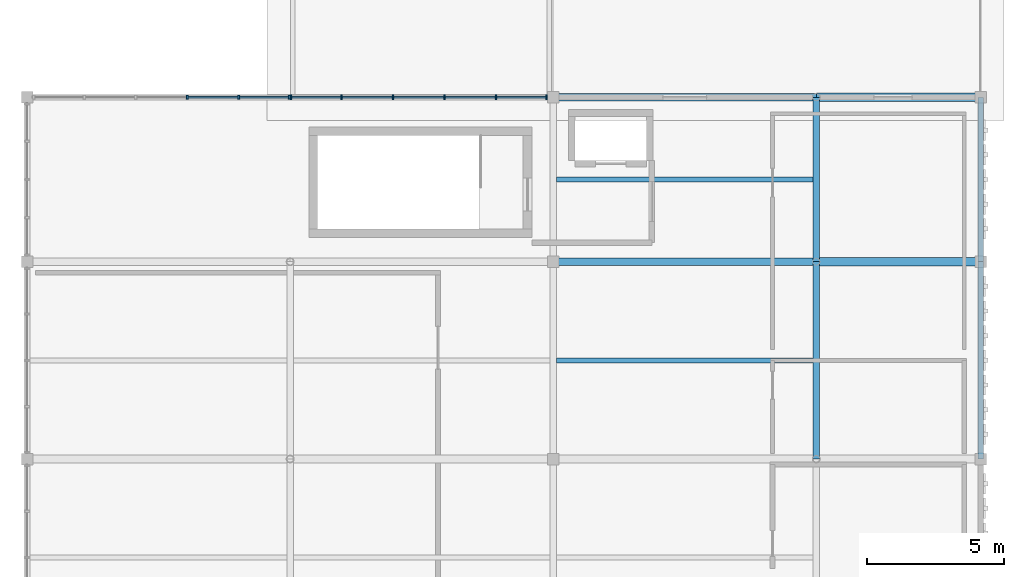
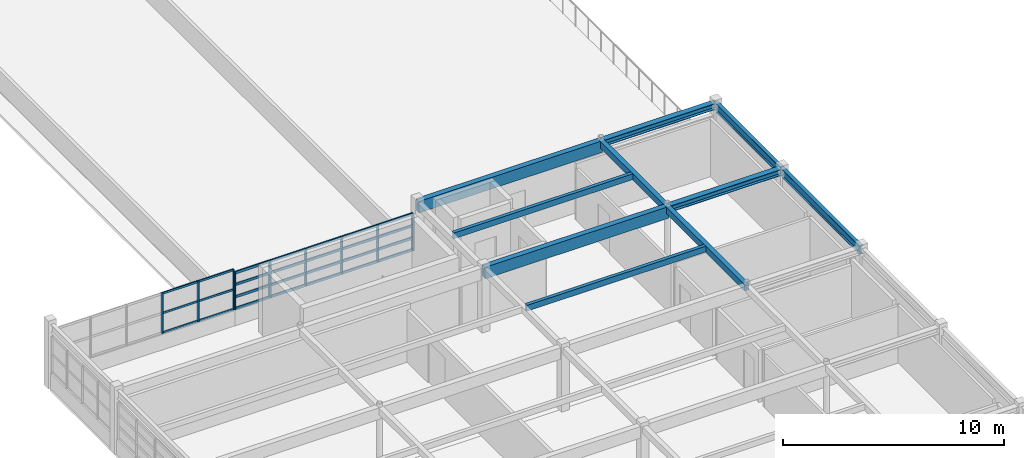
# One storey, part 10 of 25: 35 members, 10 beams, 2 elements without a shape of their own.
"""IFC4 building model written with IfcOpenShell, lengths in metres."""

from ifc_helpers import new_model, si_unit, direction, frame, origin, origin_2d, place, context, subcontext, project, spatial, rectangle, i_section, extrude, material, material_profile, profile_set, type_object, element, aggregate, save


model = new_model("IFC4")

# Units and contexts
model_context = context("Model", 3, precision=1e-05, world=origin(), true_north=direction((0.0, 1.0)))
body_context = subcontext(model_context, "Body", "Model", "MODEL_VIEW")
ifc_project = project(units=[si_unit("LENGTHUNIT", "METRE"), si_unit("AREAUNIT", "SQUARE_METRE"), si_unit("VOLUMEUNIT", "CUBIC_METRE"), si_unit("PLANEANGLEUNIT", "RADIAN"), si_unit("MASSUNIT", "GRAM", prefix="KILO")], contexts=[model_context])

# Site, building, storey
site_placement = place(None, origin())
site = spatial("IfcSite", under=ifc_project, at=site_placement, CompositionType="ELEMENT")
building_placement = place(site_placement, origin())
building = spatial("IfcBuilding", under=site, at=building_placement, Name="Nzembalo Square Collegiate School", CompositionType="ELEMENT")
storey_placement = place(building_placement, frame((0.0, 0.0, 21.080078125)))
storey = spatial("IfcBuildingStorey", under=building, at=storey_placement, Name="L05", CompositionType="ELEMENT", Elevation=21.080078125)

# Beams
ifc_material_1 = material(Name="Glulam GL32h", Category="wood")
ifc_material_profile_1 = material_profile(ifc_material_1, rectangle(XDim=0.280029296875, YDim=0.639892578125, at=origin_2d()), Name="GL32h 280x640")
ifc_profile_set_1 = profile_set([ifc_material_profile_1], Name="Glulam GL32h")
beam_type_1 = type_object("IfcBeamType", Name="B04", PredefinedType="BEAM", material=ifc_profile_set_1)
for number, where, z_axis, x_axis, name in (
    (1, (150.0, 44.39990234375, 3.2099609375), (1.0, 0.0, 0.0), (0.0, 1.0, 0.0), "Beam B04 L05"),
    (2, (150.0, 50.39990234375, 3.2099609375), (1.0, 0.0, 0.0), (0.0, 1.0, 0.0), "Beam B04 L05"),
):
    element("IfcBeam", number, at=place(storey_placement, frame(where, z_axis=z_axis, x_axis=x_axis)), inside=storey, type_object=beam_type_1, Name=name, PredefinedType="BEAM", context=body_context, shape_type="SweptSolid", body=[
        extrude(rectangle(XDim=0.280029296875, YDim=0.639892578125, at=origin_2d()), origin(), (0.0, 0.0, 1.0), 9.60009765625),
    ])
ifc_material_2 = material(Name="Steel S355", Category="steel")
ifc_material_profile_2 = material_profile(ifc_material_2, i_section(OverallWidth=0.18994140625, OverallDepth=0.449951171875, WebThickness=0.009521484375, FlangeThickness=0.0146484375, at=origin_2d()), Name="IPE 450")
ifc_profile_set_2 = profile_set([ifc_material_profile_2], Name="Steel S355")
beam_type_2 = type_object("IfcBeamType", Name="B09", PredefinedType="BEAM", material=ifc_profile_set_2)
beam_1_placement = place(storey_placement, frame((165.60009765625, 37.199951171875, 3.304931640625), z_axis=(0.0, 1.0, 0.0), x_axis=(-1.0, 0.0, 0.0)))
element("IfcBeam", 3, at=beam_1_placement, inside=storey, type_object=beam_type_2, Name="Beam B09 L05", PredefinedType="BEAM", context=body_context, shape_type="SweptSolid", body=[
    extrude(i_section(OverallWidth=0.18994140625, OverallDepth=0.449951171875, WebThickness=0.009521484375, FlangeThickness=0.0146484375, at=origin_2d()), origin(), (0.0, 0.0, 1.0), 7.199951171875),
])
beam_2_placement = place(storey_placement, frame((165.60009765625, 44.39990234375, 3.304931640625), z_axis=(0.0, 1.0, 0.0), x_axis=(-1.0, 0.0, 0.0)))
element("IfcBeam", 4, at=beam_2_placement, inside=storey, type_object=beam_type_2, Name="Beam B09 L05", PredefinedType="BEAM", context=body_context, shape_type="SweptSolid", body=[
    extrude(i_section(OverallWidth=0.18994140625, OverallDepth=0.449951171875, WebThickness=0.009521484375, FlangeThickness=0.0146484375, at=origin_2d()), origin(), (0.0, 0.0, 1.0), 6.0),
])
ifc_material_3 = material(Name="Steel S355", Category="steel")
ifc_material_profile_3 = material_profile(ifc_material_3, i_section(OverallWidth=0.300048828125, OverallDepth=0.340087890625, WebThickness=0.011962890625, FlangeThickness=0.021484375, at=origin_2d()), Name="HEB 340")
ifc_profile_set_3 = profile_set([ifc_material_profile_3], Name="Steel S355")
beam_type_3 = type_object("IfcBeamType", Name="B11", PredefinedType="BEAM", material=ifc_profile_set_3)
for number, where, z_axis, x_axis, name in (
    (5, (159.60009765625, 44.39990234375, 3.35986328125), (1.0, 0.0, 0.0), (0.0, 1.0, 0.0), "Beam B11 L05"),
    (6, (159.60009765625, 50.39990234375, 3.35986328125), (1.0, 0.0, 0.0), (0.0, 1.0, 0.0), "Beam B11 L05"),
):
    element("IfcBeam", number, at=place(storey_placement, frame(where, z_axis=z_axis, x_axis=x_axis)), inside=storey, type_object=beam_type_3, Name=name, PredefinedType="BEAM", context=body_context, shape_type="SweptSolid", body=[
        extrude(i_section(OverallWidth=0.300048828125, OverallDepth=0.340087890625, WebThickness=0.011962890625, FlangeThickness=0.021484375, at=origin_2d()), origin(), (0.0, 0.0, 1.0), 6.0),
    ])
ifc_material_4 = material(Name="Glulam GL32h", Category="wood")
ifc_material_profile_4 = material_profile(ifc_material_4, rectangle(XDim=0.239990234375, YDim=0.360107421875, at=origin_2d()), Name="GL32h 240x360")
ifc_profile_set_4 = profile_set([ifc_material_profile_4], Name="Glulam GL32h")
beam_type_4 = type_object("IfcBeamType", Name="B15", PredefinedType="BEAM", material=ifc_profile_set_4)
beam_3_placement = place(storey_placement, frame((159.60009765625, 37.199951171875, 3.349853515625), z_axis=(0.0, 1.0, 0.0), x_axis=(-1.0, 0.0, 0.0)))
element("IfcBeam", 7, at=beam_3_placement, inside=storey, type_object=beam_type_4, Name="Beam B15 L05", PredefinedType="BEAM", context=body_context, shape_type="SweptSolid", body=[
    extrude(rectangle(XDim=0.239990234375, YDim=0.360107421875, at=origin_2d()), origin(), (0.0, 0.0, 1.0), 7.199951171875),
])
beam_4_placement = place(storey_placement, frame((159.60009765625, 44.39990234375, 3.349853515625), z_axis=(0.0, 1.0, 0.0), x_axis=(-1.0, 0.0, 0.0)))
element("IfcBeam", 8, at=beam_4_placement, inside=storey, type_object=beam_type_4, Name="Beam B15 L05", PredefinedType="BEAM", context=body_context, shape_type="SweptSolid", body=[
    extrude(rectangle(XDim=0.239990234375, YDim=0.360107421875, at=origin_2d()), origin(), (0.0, 0.0, 1.0), 6.0),
])
ifc_material_5 = material(Name="Glulam GL28h", Category="wood")
ifc_material_profile_5 = material_profile(ifc_material_5, rectangle(XDim=0.179931640625, YDim=0.320068359375, at=origin_2d()), Name="GL28h 180x320")
ifc_profile_set_5 = profile_set([ifc_material_profile_5], Name="Glulam GL28h")
beam_type_5 = type_object("IfcBeamType", Name="J02", PredefinedType="JOIST", material=ifc_profile_set_5)
for number, where, z_axis, x_axis, name in (
    (9, (150.1201171875, 40.800048828125, 3.369873046875), (1.0, 0.0, 0.0), (0.0, 1.0, 0.0), "Secondary joist J02 L05"),
    (10, (150.1201171875, 47.39990234375, 3.369873046875), (1.0, 0.0, 0.0), (0.0, 1.0, 0.0), "Secondary joist J02 L05"),
):
    element("IfcBeam", number, at=place(storey_placement, frame(where, z_axis=z_axis, x_axis=x_axis)), inside=storey, type_object=beam_type_5, Name=name, PredefinedType="JOIST", context=body_context, shape_type="SweptSolid", body=[
        extrude(rectangle(XDim=0.179931640625, YDim=0.320068359375, at=origin_2d()), origin(), (0.0, 0.0, 1.0), 9.35986328125),
    ])

# Curtain wall, members
ifc_material_6 = material(Name="Aluminium 6060-T66", Category="aluminium")
curtain_wall_type_1 = type_object("IfcCurtainWallType", Name="CW-09", PredefinedType="USERDEFINED", material=ifc_material_6)
curtain_wall_1_placement = place(storey_placement, origin())
curtain_wall_1 = element("IfcCurtainWall", 11, at=curtain_wall_1_placement, inside=storey, type_object=curtain_wall_type_1, Name="Curtain wall CW-09 cw:L05:160", ObjectType="UNITISED", PredefinedType="USERDEFINED")
ifc_material_7 = material(Name="Aluminium 6060-T66", Category="aluminium")
ifc_material_profile_6 = material_profile(ifc_material_7, rectangle(XDim=0.06005859375, YDim=0.179931640625, at=origin_2d()), Name="ALU M60x180")
ifc_profile_set_6 = profile_set([ifc_material_profile_6], Name="Aluminium 6060-T66")
member_type_1 = type_object("IfcMemberType", Name="ML01", PredefinedType="MULLION", material=ifc_profile_set_6)
member_1_placement = place(storey_placement, frame((140.429931640625, 50.39990234375, 0.849853515625), z_axis=(0.0, 0.0, 1.0), x_axis=(1.0, 0.0, 0.0)))
member_1 = element("IfcMember", 12, at=member_1_placement, type_object=member_type_1, Name="ML01 mullion 1", PredefinedType="MULLION", context=body_context, shape_type="SweptSolid", body=[
    extrude(rectangle(XDim=0.06005859375, YDim=0.179931640625, at=origin_2d()), origin(), (0.0, 0.0, 1.0), 2.0341796875),
])
member_2_placement = place(storey_placement, frame((142.277587890625, 50.39990234375, 0.849853515625), z_axis=(0.0, 0.0, 1.0), x_axis=(1.0, 0.0, 0.0)))
member_2 = element("IfcMember", 13, at=member_2_placement, type_object=member_type_1, Name="ML01 mullion 2", PredefinedType="MULLION", context=body_context, shape_type="SweptSolid", body=[
    extrude(rectangle(XDim=0.06005859375, YDim=0.179931640625, at=origin_2d()), origin(), (0.0, 0.0, 1.0), 2.0341796875),
])
member_3_placement = place(storey_placement, frame((144.1552734375, 50.39990234375, 0.849853515625), z_axis=(0.0, 0.0, 1.0), x_axis=(1.0, 0.0, 0.0)))
member_3 = element("IfcMember", 14, at=member_3_placement, type_object=member_type_1, Name="ML01 mullion 3", PredefinedType="MULLION", context=body_context, shape_type="SweptSolid", body=[
    extrude(rectangle(XDim=0.06005859375, YDim=0.179931640625, at=origin_2d()), origin(), (0.0, 0.0, 1.0), 2.0341796875),
])
member_4_placement = place(storey_placement, frame((146.03271484375, 50.39990234375, 0.849853515625), z_axis=(0.0, 0.0, 1.0), x_axis=(1.0, 0.0, 0.0)))
member_4 = element("IfcMember", 15, at=member_4_placement, type_object=member_type_1, Name="ML01 mullion 4", PredefinedType="MULLION", context=body_context, shape_type="SweptSolid", body=[
    extrude(rectangle(XDim=0.06005859375, YDim=0.179931640625, at=origin_2d()), origin(), (0.0, 0.0, 1.0), 2.0341796875),
])
member_5_placement = place(storey_placement, frame((147.910400390625, 50.39990234375, 0.849853515625), z_axis=(0.0, 0.0, 1.0), x_axis=(1.0, 0.0, 0.0)))
member_5 = element("IfcMember", 16, at=member_5_placement, type_object=member_type_1, Name="ML01 mullion 5", PredefinedType="MULLION", context=body_context, shape_type="SweptSolid", body=[
    extrude(rectangle(XDim=0.06005859375, YDim=0.179931640625, at=origin_2d()), origin(), (0.0, 0.0, 1.0), 2.0341796875),
])
member_6_placement = place(storey_placement, frame((149.758056640625, 50.39990234375, 0.849853515625), z_axis=(0.0, 0.0, 1.0), x_axis=(1.0, 0.0, 0.0)))
member_6 = element("IfcMember", 17, at=member_6_placement, type_object=member_type_1, Name="ML01 mullion 6", PredefinedType="MULLION", context=body_context, shape_type="SweptSolid", body=[
    extrude(rectangle(XDim=0.06005859375, YDim=0.179931640625, at=origin_2d()), origin(), (0.0, 0.0, 1.0), 2.0341796875),
])

ifc_material_8 = material(Name="Aluminium 6060-T66", Category="aluminium")
curtain_wall_type_2 = type_object("IfcCurtainWallType", Name="CW-12", PredefinedType="USERDEFINED", material=ifc_material_8)
curtain_wall_2_placement = place(storey_placement, origin())
curtain_wall_2 = element("IfcCurtainWall", 18, at=curtain_wall_2_placement, inside=storey, type_object=curtain_wall_type_2, Name="Curtain wall CW-12 cw:L05:159", ObjectType="LANCET", PredefinedType="USERDEFINED")
ifc_material_9 = material(Name="Aluminium 6060-T66", Category="aluminium")
ifc_material_profile_7 = material_profile(ifc_material_9, rectangle(XDim=0.06005859375, YDim=0.14990234375, at=origin_2d()), Name="ALU M60x150")
ifc_profile_set_7 = profile_set([ifc_material_profile_7], Name="Aluminium 6060-T66")
member_type_2 = type_object("IfcMemberType", Name="ML02", PredefinedType="MULLION", material=ifc_profile_set_7)
member_7_placement = place(storey_placement, frame((136.644775390625, 50.39990234375, 0.849853515625), z_axis=(0.0, 0.0, 1.0), x_axis=(1.0, 0.0, 0.0)))
member_7 = element("IfcMember", 19, at=member_7_placement, type_object=member_type_2, Name="ML02 mullion 4", PredefinedType="MULLION", context=body_context, shape_type="SweptSolid", body=[
    extrude(rectangle(XDim=0.06005859375, YDim=0.14990234375, at=origin_2d()), origin(), (0.0, 0.0, 1.0), 2.22412109375),
])
member_8_placement = place(storey_placement, frame((138.5224609375, 50.39990234375, 0.849853515625), z_axis=(0.0, 0.0, 1.0), x_axis=(1.0, 0.0, 0.0)))
member_8 = element("IfcMember", 20, at=member_8_placement, type_object=member_type_2, Name="ML02 mullion 5", PredefinedType="MULLION", context=body_context, shape_type="SweptSolid", body=[
    extrude(rectangle(XDim=0.06005859375, YDim=0.14990234375, at=origin_2d()), origin(), (0.0, 0.0, 1.0), 2.22412109375),
])
member_9_placement = place(storey_placement, frame((140.3701171875, 50.39990234375, 0.849853515625), z_axis=(0.0, 0.0, 1.0), x_axis=(1.0, 0.0, 0.0)))
member_9 = element("IfcMember", 21, at=member_9_placement, type_object=member_type_2, Name="ML02 mullion 6", PredefinedType="MULLION", context=body_context, shape_type="SweptSolid", body=[
    extrude(rectangle(XDim=0.06005859375, YDim=0.14990234375, at=origin_2d()), origin(), (0.0, 0.0, 1.0), 2.22412109375),
])

# Member
ifc_material_10 = material(Name="Aluminium 6060-T66", Category="aluminium")
ifc_material_profile_8 = material_profile(ifc_material_10, rectangle(XDim=0.06005859375, YDim=0.139892578125, at=origin_2d()), Name="ALU T60x140")
ifc_profile_set_8 = profile_set([ifc_material_profile_8], Name="Aluminium 6060-T66")
member_type_3 = type_object("IfcMemberType", Name="TR01", PredefinedType="USERDEFINED", material=ifc_profile_set_8)
member_10_placement = place(storey_placement, frame((140.4599609375, 50.39990234375, 0.8798828125), z_axis=(1.0, 0.0, 0.0), x_axis=(0.0, 1.0, 0.0)))
member_10 = element("IfcMember", 22, at=member_10_placement, type_object=member_type_3, Name="TR01 transom 1-1", ObjectType="TRANSOM", PredefinedType="USERDEFINED", context=body_context, shape_type="SweptSolid", body=[
    extrude(rectangle(XDim=0.06005859375, YDim=0.139892578125, at=origin_2d()), origin(), (0.0, 0.0, 1.0), 1.78759765625),
])

member_11_placement = place(storey_placement, frame((142.3076171875, 50.39990234375, 0.8798828125), z_axis=(1.0, 0.0, 0.0), x_axis=(0.0, 1.0, 0.0)))
member_11 = element("IfcMember", 23, at=member_11_placement, type_object=member_type_3, Name="TR01 transom 1-2", ObjectType="TRANSOM", PredefinedType="USERDEFINED", context=body_context, shape_type="SweptSolid", body=[
    extrude(rectangle(XDim=0.06005859375, YDim=0.139892578125, at=origin_2d()), origin(), (0.0, 0.0, 1.0), 1.817626953125),
])

member_12_placement = place(storey_placement, frame((144.185302734375, 50.39990234375, 0.8798828125), z_axis=(1.0, 0.0, 0.0), x_axis=(0.0, 1.0, 0.0)))
member_12 = element("IfcMember", 24, at=member_12_placement, type_object=member_type_3, Name="TR01 transom 1-3", ObjectType="TRANSOM", PredefinedType="USERDEFINED", context=body_context, shape_type="SweptSolid", body=[
    extrude(rectangle(XDim=0.06005859375, YDim=0.139892578125, at=origin_2d()), origin(), (0.0, 0.0, 1.0), 1.8173828125),
])

member_13_placement = place(storey_placement, frame((146.062744140625, 50.39990234375, 0.8798828125), z_axis=(1.0, 0.0, 0.0), x_axis=(0.0, 1.0, 0.0)))
member_13 = element("IfcMember", 25, at=member_13_placement, type_object=member_type_3, Name="TR01 transom 1-4", ObjectType="TRANSOM", PredefinedType="USERDEFINED", context=body_context, shape_type="SweptSolid", body=[
    extrude(rectangle(XDim=0.06005859375, YDim=0.139892578125, at=origin_2d()), origin(), (0.0, 0.0, 1.0), 1.817626953125),
])

member_14_placement = place(storey_placement, frame((147.9404296875, 50.39990234375, 0.8798828125), z_axis=(1.0, 0.0, 0.0), x_axis=(0.0, 1.0, 0.0)))
member_14 = element("IfcMember", 26, at=member_14_placement, type_object=member_type_3, Name="TR01 transom 1-5", ObjectType="TRANSOM", PredefinedType="USERDEFINED", context=body_context, shape_type="SweptSolid", body=[
    extrude(rectangle(XDim=0.06005859375, YDim=0.139892578125, at=origin_2d()), origin(), (0.0, 0.0, 1.0), 1.78759765625),
])

member_15_placement = place(storey_placement, frame((140.4599609375, 50.39990234375, 1.52783203125), z_axis=(1.0, 0.0, 0.0), x_axis=(0.0, 1.0, 0.0)))
member_15 = element("IfcMember", 27, at=member_15_placement, type_object=member_type_3, Name="TR01 transom 2-1", ObjectType="TRANSOM", PredefinedType="USERDEFINED", context=body_context, shape_type="SweptSolid", body=[
    extrude(rectangle(XDim=0.06005859375, YDim=0.139892578125, at=origin_2d()), origin(), (0.0, 0.0, 1.0), 1.78759765625),
])

member_16_placement = place(storey_placement, frame((142.3076171875, 50.39990234375, 1.52783203125), z_axis=(1.0, 0.0, 0.0), x_axis=(0.0, 1.0, 0.0)))
member_16 = element("IfcMember", 28, at=member_16_placement, type_object=member_type_3, Name="TR01 transom 2-2", ObjectType="TRANSOM", PredefinedType="USERDEFINED", context=body_context, shape_type="SweptSolid", body=[
    extrude(rectangle(XDim=0.06005859375, YDim=0.139892578125, at=origin_2d()), origin(), (0.0, 0.0, 1.0), 1.817626953125),
])

member_17_placement = place(storey_placement, frame((144.185302734375, 50.39990234375, 1.52783203125), z_axis=(1.0, 0.0, 0.0), x_axis=(0.0, 1.0, 0.0)))
member_17 = element("IfcMember", 29, at=member_17_placement, type_object=member_type_3, Name="TR01 transom 2-3", ObjectType="TRANSOM", PredefinedType="USERDEFINED", context=body_context, shape_type="SweptSolid", body=[
    extrude(rectangle(XDim=0.06005859375, YDim=0.139892578125, at=origin_2d()), origin(), (0.0, 0.0, 1.0), 1.8173828125),
])

member_18_placement = place(storey_placement, frame((146.062744140625, 50.39990234375, 1.52783203125), z_axis=(1.0, 0.0, 0.0), x_axis=(0.0, 1.0, 0.0)))
member_18 = element("IfcMember", 30, at=member_18_placement, type_object=member_type_3, Name="TR01 transom 2-4", ObjectType="TRANSOM", PredefinedType="USERDEFINED", context=body_context, shape_type="SweptSolid", body=[
    extrude(rectangle(XDim=0.06005859375, YDim=0.139892578125, at=origin_2d()), origin(), (0.0, 0.0, 1.0), 1.817626953125),
])

member_19_placement = place(storey_placement, frame((147.9404296875, 50.39990234375, 1.52783203125), z_axis=(1.0, 0.0, 0.0), x_axis=(0.0, 1.0, 0.0)))
member_19 = element("IfcMember", 31, at=member_19_placement, type_object=member_type_3, Name="TR01 transom 2-5", ObjectType="TRANSOM", PredefinedType="USERDEFINED", context=body_context, shape_type="SweptSolid", body=[
    extrude(rectangle(XDim=0.06005859375, YDim=0.139892578125, at=origin_2d()), origin(), (0.0, 0.0, 1.0), 1.78759765625),
])

member_20_placement = place(storey_placement, frame((140.4599609375, 50.39990234375, 2.205810546875), z_axis=(1.0, 0.0, 0.0), x_axis=(0.0, 1.0, 0.0)))
member_20 = element("IfcMember", 32, at=member_20_placement, type_object=member_type_3, Name="TR01 transom 3-1", ObjectType="TRANSOM", PredefinedType="USERDEFINED", context=body_context, shape_type="SweptSolid", body=[
    extrude(rectangle(XDim=0.06005859375, YDim=0.139892578125, at=origin_2d()), origin(), (0.0, 0.0, 1.0), 1.78759765625),
])

member_21_placement = place(storey_placement, frame((142.3076171875, 50.39990234375, 2.205810546875), z_axis=(1.0, 0.0, 0.0), x_axis=(0.0, 1.0, 0.0)))
member_21 = element("IfcMember", 33, at=member_21_placement, type_object=member_type_3, Name="TR01 transom 3-2", ObjectType="TRANSOM", PredefinedType="USERDEFINED", context=body_context, shape_type="SweptSolid", body=[
    extrude(rectangle(XDim=0.06005859375, YDim=0.139892578125, at=origin_2d()), origin(), (0.0, 0.0, 1.0), 1.817626953125),
])

member_22_placement = place(storey_placement, frame((144.185302734375, 50.39990234375, 2.205810546875), z_axis=(1.0, 0.0, 0.0), x_axis=(0.0, 1.0, 0.0)))
member_22 = element("IfcMember", 34, at=member_22_placement, type_object=member_type_3, Name="TR01 transom 3-3", ObjectType="TRANSOM", PredefinedType="USERDEFINED", context=body_context, shape_type="SweptSolid", body=[
    extrude(rectangle(XDim=0.06005859375, YDim=0.139892578125, at=origin_2d()), origin(), (0.0, 0.0, 1.0), 1.8173828125),
])

member_23_placement = place(storey_placement, frame((146.062744140625, 50.39990234375, 2.205810546875), z_axis=(1.0, 0.0, 0.0), x_axis=(0.0, 1.0, 0.0)))
member_23 = element("IfcMember", 35, at=member_23_placement, type_object=member_type_3, Name="TR01 transom 3-4", ObjectType="TRANSOM", PredefinedType="USERDEFINED", context=body_context, shape_type="SweptSolid", body=[
    extrude(rectangle(XDim=0.06005859375, YDim=0.139892578125, at=origin_2d()), origin(), (0.0, 0.0, 1.0), 1.817626953125),
])

member_24_placement = place(storey_placement, frame((147.9404296875, 50.39990234375, 2.205810546875), z_axis=(1.0, 0.0, 0.0), x_axis=(0.0, 1.0, 0.0)))
member_24 = element("IfcMember", 36, at=member_24_placement, type_object=member_type_3, Name="TR01 transom 3-5", ObjectType="TRANSOM", PredefinedType="USERDEFINED", context=body_context, shape_type="SweptSolid", body=[
    extrude(rectangle(XDim=0.06005859375, YDim=0.139892578125, at=origin_2d()), origin(), (0.0, 0.0, 1.0), 1.78759765625),
])

member_25_placement = place(storey_placement, frame((140.4599609375, 50.39990234375, 2.85400390625), z_axis=(1.0, 0.0, 0.0), x_axis=(0.0, 1.0, 0.0)))
member_25 = element("IfcMember", 37, at=member_25_placement, type_object=member_type_3, Name="TR01 transom 4-1", ObjectType="TRANSOM", PredefinedType="USERDEFINED", context=body_context, shape_type="SweptSolid", body=[
    extrude(rectangle(XDim=0.06005859375, YDim=0.139892578125, at=origin_2d()), origin(), (0.0, 0.0, 1.0), 1.78759765625),
])

member_26_placement = place(storey_placement, frame((142.3076171875, 50.39990234375, 2.85400390625), z_axis=(1.0, 0.0, 0.0), x_axis=(0.0, 1.0, 0.0)))
member_26 = element("IfcMember", 38, at=member_26_placement, type_object=member_type_3, Name="TR01 transom 4-2", ObjectType="TRANSOM", PredefinedType="USERDEFINED", context=body_context, shape_type="SweptSolid", body=[
    extrude(rectangle(XDim=0.06005859375, YDim=0.139892578125, at=origin_2d()), origin(), (0.0, 0.0, 1.0), 1.817626953125),
])

member_27_placement = place(storey_placement, frame((144.185302734375, 50.39990234375, 2.85400390625), z_axis=(1.0, 0.0, 0.0), x_axis=(0.0, 1.0, 0.0)))
member_27 = element("IfcMember", 39, at=member_27_placement, type_object=member_type_3, Name="TR01 transom 4-3", ObjectType="TRANSOM", PredefinedType="USERDEFINED", context=body_context, shape_type="SweptSolid", body=[
    extrude(rectangle(XDim=0.06005859375, YDim=0.139892578125, at=origin_2d()), origin(), (0.0, 0.0, 1.0), 1.8173828125),
])

member_28_placement = place(storey_placement, frame((146.062744140625, 50.39990234375, 2.85400390625), z_axis=(1.0, 0.0, 0.0), x_axis=(0.0, 1.0, 0.0)))
member_28 = element("IfcMember", 40, at=member_28_placement, type_object=member_type_3, Name="TR01 transom 4-4", ObjectType="TRANSOM", PredefinedType="USERDEFINED", context=body_context, shape_type="SweptSolid", body=[
    extrude(rectangle(XDim=0.06005859375, YDim=0.139892578125, at=origin_2d()), origin(), (0.0, 0.0, 1.0), 1.817626953125),
])

member_29_placement = place(storey_placement, frame((147.9404296875, 50.39990234375, 2.85400390625), z_axis=(1.0, 0.0, 0.0), x_axis=(0.0, 1.0, 0.0)))
member_29 = element("IfcMember", 41, at=member_29_placement, type_object=member_type_3, Name="TR01 transom 4-5", ObjectType="TRANSOM", PredefinedType="USERDEFINED", context=body_context, shape_type="SweptSolid", body=[
    extrude(rectangle(XDim=0.06005859375, YDim=0.139892578125, at=origin_2d()), origin(), (0.0, 0.0, 1.0), 1.78759765625),
])

aggregate(curtain_wall_1, [member_1, member_2, member_3, member_4, member_5, member_6, member_10, member_11, member_12, member_13, member_14, member_15, member_16, member_17, member_18, member_19, member_20, member_21, member_22, member_23, member_24, member_25, member_26, member_27, member_28, member_29])

ifc_material_11 = material(Name="Aluminium 6060-T66", Category="aluminium")
ifc_material_profile_9 = material_profile(ifc_material_11, rectangle(XDim=0.06005859375, YDim=0.110107421875, at=origin_2d()), Name="ALU T60x110")
ifc_profile_set_9 = profile_set([ifc_material_profile_9], Name="Aluminium 6060-T66")
member_type_4 = type_object("IfcMemberType", Name="TR02", PredefinedType="USERDEFINED", material=ifc_profile_set_9)
member_30_placement = place(storey_placement, frame((136.6748046875, 50.39990234375, 0.8798828125), z_axis=(1.0, 0.0, 0.0), x_axis=(0.0, 1.0, 0.0)))
member_30 = element("IfcMember", 42, at=member_30_placement, type_object=member_type_4, Name="TR02 transom 1-4", ObjectType="TRANSOM", PredefinedType="USERDEFINED", context=body_context, shape_type="SweptSolid", body=[
    extrude(rectangle(XDim=0.06005859375, YDim=0.110107421875, at=origin_2d()), origin(), (0.0, 0.0, 1.0), 1.817626953125),
])

member_31_placement = place(storey_placement, frame((138.552490234375, 50.39990234375, 0.8798828125), z_axis=(1.0, 0.0, 0.0), x_axis=(0.0, 1.0, 0.0)))
member_31 = element("IfcMember", 43, at=member_31_placement, type_object=member_type_4, Name="TR02 transom 1-5", ObjectType="TRANSOM", PredefinedType="USERDEFINED", context=body_context, shape_type="SweptSolid", body=[
    extrude(rectangle(XDim=0.06005859375, YDim=0.110107421875, at=origin_2d()), origin(), (0.0, 0.0, 1.0), 1.78759765625),
])

member_32_placement = place(storey_placement, frame((136.6748046875, 50.39990234375, 1.9619140625), z_axis=(1.0, 0.0, 0.0), x_axis=(0.0, 1.0, 0.0)))
member_32 = element("IfcMember", 44, at=member_32_placement, type_object=member_type_4, Name="TR02 transom 2-4", ObjectType="TRANSOM", PredefinedType="USERDEFINED", context=body_context, shape_type="SweptSolid", body=[
    extrude(rectangle(XDim=0.06005859375, YDim=0.110107421875, at=origin_2d()), origin(), (0.0, 0.0, 1.0), 1.817626953125),
])

member_33_placement = place(storey_placement, frame((138.552490234375, 50.39990234375, 1.9619140625), z_axis=(1.0, 0.0, 0.0), x_axis=(0.0, 1.0, 0.0)))
member_33 = element("IfcMember", 45, at=member_33_placement, type_object=member_type_4, Name="TR02 transom 2-5", ObjectType="TRANSOM", PredefinedType="USERDEFINED", context=body_context, shape_type="SweptSolid", body=[
    extrude(rectangle(XDim=0.06005859375, YDim=0.110107421875, at=origin_2d()), origin(), (0.0, 0.0, 1.0), 1.78759765625),
])

member_34_placement = place(storey_placement, frame((136.6748046875, 50.39990234375, 3.0439453125), z_axis=(1.0, 0.0, 0.0), x_axis=(0.0, 1.0, 0.0)))
member_34 = element("IfcMember", 46, at=member_34_placement, type_object=member_type_4, Name="TR02 transom 3-4", ObjectType="TRANSOM", PredefinedType="USERDEFINED", context=body_context, shape_type="SweptSolid", body=[
    extrude(rectangle(XDim=0.06005859375, YDim=0.110107421875, at=origin_2d()), origin(), (0.0, 0.0, 1.0), 1.817626953125),
])

member_35_placement = place(storey_placement, frame((138.552490234375, 50.39990234375, 3.0439453125), z_axis=(1.0, 0.0, 0.0), x_axis=(0.0, 1.0, 0.0)))
member_35 = element("IfcMember", 47, at=member_35_placement, type_object=member_type_4, Name="TR02 transom 3-5", ObjectType="TRANSOM", PredefinedType="USERDEFINED", context=body_context, shape_type="SweptSolid", body=[
    extrude(rectangle(XDim=0.06005859375, YDim=0.110107421875, at=origin_2d()), origin(), (0.0, 0.0, 1.0), 1.78759765625),
])

aggregate(curtain_wall_2, [member_7, member_8, member_9, member_30, member_31, member_32, member_33, member_34, member_35])

save(model, "model.ifc")
